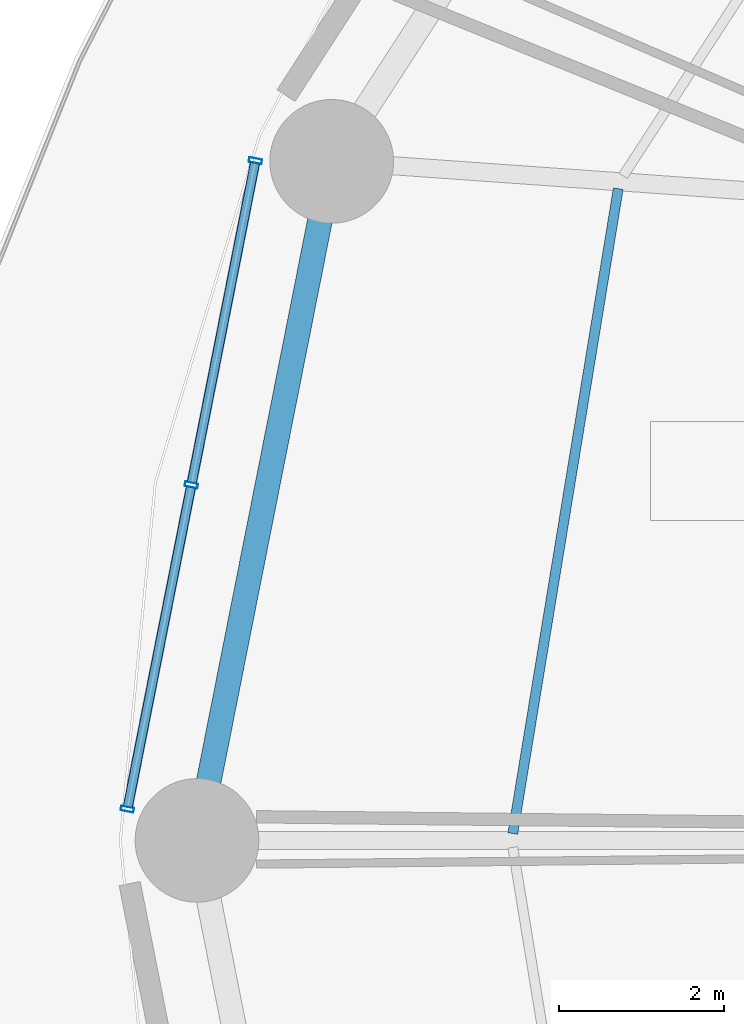
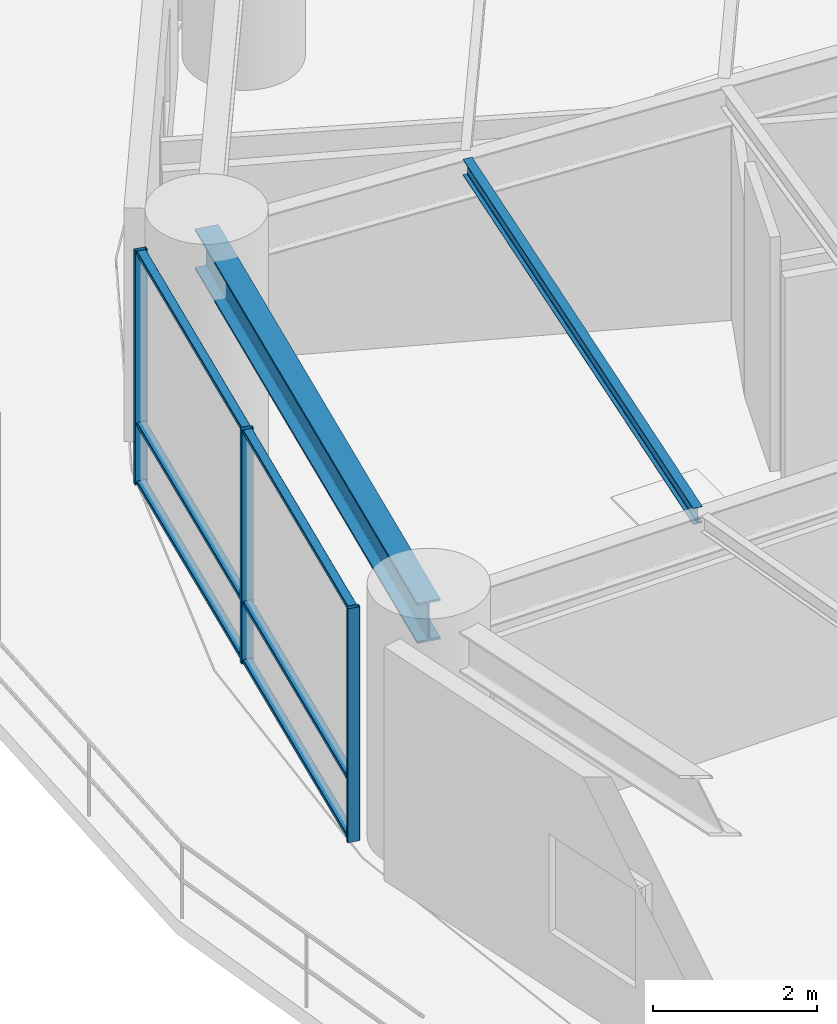
# One storey, part 5 of 35: 9 members, 2 beams, 1 element without a shape of its own.
"""IFC4 building model written with IfcOpenShell, lengths in metres."""

from ifc_helpers import new_model, si_unit, direction, frame, origin, origin_2d, place, context, subcontext, project, spatial, hollow_rectangle, i_section, extrude, material, layer, layer_set, material_profile, profile_set, type_object, element, aggregate, save


model = new_model("IFC4")

# Units and contexts
model_context = context("Model", 3, precision=1e-05, world=origin(), true_north=direction((0.0, 1.0)))
body_context = subcontext(model_context, "Body", "Model", "MODEL_VIEW")
ifc_project = project(units=[si_unit("LENGTHUNIT", "METRE"), si_unit("AREAUNIT", "SQUARE_METRE"), si_unit("VOLUMEUNIT", "CUBIC_METRE"), si_unit("PLANEANGLEUNIT", "RADIAN"), si_unit("MASSUNIT", "GRAM", prefix="KILO")], contexts=[model_context])

# Site, building, storey
site_placement = place(None, origin())
site = spatial("IfcSite", under=ifc_project, at=site_placement, CompositionType="ELEMENT")
building_placement = place(site_placement, origin())
building = spatial("IfcBuilding", under=site, at=building_placement, Name="Kelanora Arch Commons", CompositionType="ELEMENT")
storey_placement = place(building_placement, frame((0.0, 0.0, 22.5)))
storey = spatial("IfcBuildingStorey", under=building, at=storey_placement, Name="L05", CompositionType="ELEMENT", Elevation=22.5)

# Beams
ifc_material_1 = material(Name="Steel S355", Category="steel")
ifc_material_profile_1 = material_profile(ifc_material_1, i_section(OverallWidth=0.1201171875, OverallDepth=0.239990234375, WebThickness=0.006103515625, FlangeThickness=0.009765625, FilletRadius=0.014892578125, at=origin_2d()), Name="IPE240")
ifc_profile_set_1 = profile_set([ifc_material_profile_1], Name="Steel S355")
beam_type_1 = type_object("IfcBeamType", Name="BM-JST-02", PredefinedType="JOIST", material=ifc_profile_set_1)
beam_1_placement = place(storey_placement, frame((52.02880859375, 65.90478515625, 3.3701171875), z_axis=(-0.161400737199, -0.986888951216, 0.0), x_axis=(0.986888951216, -0.161400737199, 0.0)))
element("IfcBeam", 1, at=beam_1_placement, inside=storey, type_object=beam_type_1, Name="Secondary Chord Joist BJC-16 L05", PredefinedType="JOIST", context=body_context, shape_type="SweptSolid", body=[
    extrude(i_section(OverallWidth=0.1201171875, OverallDepth=0.239990234375, WebThickness=0.006103515625, FlangeThickness=0.009765625, FilletRadius=0.014892578125, at=origin_2d()), origin(), (0.0, 0.0, 1.0), 7.9248046875),
])
ifc_material_profile_2 = material_profile(ifc_material_1, i_section(OverallWidth=0.300048828125, OverallDepth=0.60009765625, WebThickness=0.015380859375, FlangeThickness=0.030029296875, FilletRadius=0.027099609375, at=origin_2d()), Name="HEB600")
ifc_profile_set_2 = profile_set([ifc_material_profile_2], Name="Steel S355")
beam_type_2 = type_object("IfcBeamType", Name="BM-SPN-Z1", PredefinedType="SPANDREL", material=ifc_profile_set_2)
beam_2_placement = place(storey_placement, frame((48.552978515625, 66.23583984375, 3.18994140625), z_axis=(-0.194499827256, -0.980902552345, 0.0), x_axis=(0.980902552345, -0.194499827256, 0.0)))
element("IfcBeam", 2, at=beam_2_placement, inside=storey, type_object=beam_type_2, Name="Perimeter Spandrel Beam BS-16 L05", PredefinedType="SPANDREL", context=body_context, shape_type="SweptSolid", body=[
    extrude(i_section(OverallWidth=0.300048828125, OverallDepth=0.60009765625, WebThickness=0.015380859375, FlangeThickness=0.030029296875, FilletRadius=0.027099609375, at=origin_2d()), origin(), (0.0, 0.0, 1.0), 8.396240234375),
])

# Curtain wall, members
ifc_material_2 = material(Name="Terracotta ceramic-fritted low-E glass and aluminium", Category="masonry")
ifc_layer = layer(ifc_material_2, 0.159912109375)
ifc_layer_set = layer_set([ifc_layer], Name="Terracotta ceramic-fritted low-E glass and aluminium")
curtain_wall_type = type_object("IfcCurtainWallType", Name="CW-SYS-01", PredefinedType="NOTDEFINED", material=ifc_layer_set)
curtain_wall_placement = place(storey_placement, origin())
curtain_wall = element("IfcCurtainWall", 3, at=curtain_wall_placement, inside=storey, type_object=curtain_wall_type, Name="Unitised Curtain Wall L05-B08", PredefinedType="NOTDEFINED")
ifc_material_3 = material(Name="Powder-coated aluminium terracotta", Category="masonry")
ifc_material_profile_3 = material_profile(ifc_material_3, hollow_rectangle(XDim=0.159912109375, YDim=0.06005859375, WallThickness=0.0048828125, InnerFilletRadius=0.0048828125, OuterFilletRadius=0.010009765625, at=origin_2d()), Name="CWM160x60")
ifc_profile_set_3 = profile_set([ifc_material_profile_3], Name="Powder-coated aluminium terracotta")
member_type_1 = type_object("IfcMemberType", Name="CWM-STD", PredefinedType="MULLION", material=ifc_profile_set_3)
member_1_placement = place(storey_placement, frame((47.628173828125, 66.243896484375, 0.0), z_axis=(0.0, 0.0, 1.0), x_axis=(0.981052110579, -0.193744048498, 0.0)))
member_1 = element("IfcMember", 4, at=member_1_placement, type_object=member_type_1, Name="CW-01 mullion 1", PredefinedType="MULLION", context=body_context, shape_type="SweptSolid", body=[
    extrude(hollow_rectangle(XDim=0.159912109375, YDim=0.06005859375, WallThickness=0.0048828125, InnerFilletRadius=0.0048828125, OuterFilletRadius=0.010009765625, at=origin_2d()), origin(), (0.0, 0.0, 1.0), 3.47509765625),
])
member_2_placement = place(storey_placement, frame((46.8515625, 62.3115234375, 0.0), z_axis=(0.0, 0.0, 1.0), x_axis=(0.981052110579, -0.193744048498, 0.0)))
member_2 = element("IfcMember", 5, at=member_2_placement, type_object=member_type_1, Name="CW-01 mullion 2", PredefinedType="MULLION", context=body_context, shape_type="SweptSolid", body=[
    extrude(hollow_rectangle(XDim=0.159912109375, YDim=0.06005859375, WallThickness=0.0048828125, InnerFilletRadius=0.0048828125, OuterFilletRadius=0.010009765625, at=origin_2d()), origin(), (0.0, 0.0, 1.0), 3.47509765625),
])
member_3_placement = place(storey_placement, frame((46.074951171875, 58.379150390625, 0.0), z_axis=(0.0, 0.0, 1.0), x_axis=(0.981052110579, -0.193744048498, 0.0)))
member_3 = element("IfcMember", 6, at=member_3_placement, type_object=member_type_1, Name="CW-01 mullion 3", PredefinedType="MULLION", context=body_context, shape_type="SweptSolid", body=[
    extrude(hollow_rectangle(XDim=0.159912109375, YDim=0.06005859375, WallThickness=0.0048828125, InnerFilletRadius=0.0048828125, OuterFilletRadius=0.010009765625, at=origin_2d()), origin(), (0.0, 0.0, 1.0), 3.47509765625),
])
ifc_material_profile_4 = material_profile(ifc_material_3, hollow_rectangle(XDim=0.1201171875, YDim=0.06005859375, WallThickness=0.0048828125, InnerFilletRadius=0.0048828125, OuterFilletRadius=0.010009765625, at=origin_2d()), Name="CWT120x60")
ifc_profile_set_4 = profile_set([ifc_material_profile_4], Name="Powder-coated aluminium terracotta")
member_type_2 = type_object("IfcMemberType", Name="CWT-STD", PredefinedType="USERDEFINED", material=ifc_profile_set_4)
member_4_placement = place(storey_placement, frame((47.622314453125, 66.21435546875, 0.030029296875), z_axis=(-0.193725436624, -0.98105578598, 0.0), x_axis=(0.98105578598, -0.193725436624, 0.0)))
member_4 = element("IfcMember", 7, at=member_4_placement, type_object=member_type_2, Name="CW-01 transom 1.1", ObjectType="TRANSOM", PredefinedType="USERDEFINED", context=body_context, shape_type="SweptSolid", body=[
    extrude(hollow_rectangle(XDim=0.1201171875, YDim=0.06005859375, WallThickness=0.0048828125, InnerFilletRadius=0.0048828125, OuterFilletRadius=0.010009765625, at=origin_2d()), origin(), (0.0, 0.0, 1.0), 3.9482421875),
])
member_5_placement = place(storey_placement, frame((47.622314453125, 66.21435546875, 0.89990234375), z_axis=(-0.193725436624, -0.98105578598, 0.0), x_axis=(0.98105578598, -0.193725436624, 0.0)))
member_5 = element("IfcMember", 8, at=member_5_placement, type_object=member_type_2, Name="CW-01 transom 1.2", ObjectType="TRANSOM", PredefinedType="USERDEFINED", context=body_context, shape_type="SweptSolid", body=[
    extrude(hollow_rectangle(XDim=0.1201171875, YDim=0.06005859375, WallThickness=0.0048828125, InnerFilletRadius=0.0048828125, OuterFilletRadius=0.010009765625, at=origin_2d()), origin(), (0.0, 0.0, 1.0), 3.9482421875),
])
member_6_placement = place(storey_placement, frame((47.622314453125, 66.21435546875, 3.445068359375), z_axis=(-0.193725436624, -0.98105578598, 0.0), x_axis=(0.98105578598, -0.193725436624, 0.0)))
member_6 = element("IfcMember", 9, at=member_6_placement, type_object=member_type_2, Name="CW-01 transom 1.3", ObjectType="TRANSOM", PredefinedType="USERDEFINED", context=body_context, shape_type="SweptSolid", body=[
    extrude(hollow_rectangle(XDim=0.1201171875, YDim=0.06005859375, WallThickness=0.0048828125, InnerFilletRadius=0.0048828125, OuterFilletRadius=0.010009765625, at=origin_2d()), origin(), (0.0, 0.0, 1.0), 3.9482421875),
])
member_7_placement = place(storey_placement, frame((46.845703125, 62.281982421875, 0.030029296875), z_axis=(-0.193725436624, -0.98105578598, 0.0), x_axis=(0.98105578598, -0.193725436624, 0.0)))
member_7 = element("IfcMember", 10, at=member_7_placement, type_object=member_type_2, Name="CW-01 transom 2.1", ObjectType="TRANSOM", PredefinedType="USERDEFINED", context=body_context, shape_type="SweptSolid", body=[
    extrude(hollow_rectangle(XDim=0.1201171875, YDim=0.06005859375, WallThickness=0.0048828125, InnerFilletRadius=0.0048828125, OuterFilletRadius=0.010009765625, at=origin_2d()), origin(), (0.0, 0.0, 1.0), 3.9482421875),
])
member_8_placement = place(storey_placement, frame((46.845703125, 62.281982421875, 0.89990234375), z_axis=(-0.193725436624, -0.98105578598, 0.0), x_axis=(0.98105578598, -0.193725436624, 0.0)))
member_8 = element("IfcMember", 11, at=member_8_placement, type_object=member_type_2, Name="CW-01 transom 2.2", ObjectType="TRANSOM", PredefinedType="USERDEFINED", context=body_context, shape_type="SweptSolid", body=[
    extrude(hollow_rectangle(XDim=0.1201171875, YDim=0.06005859375, WallThickness=0.0048828125, InnerFilletRadius=0.0048828125, OuterFilletRadius=0.010009765625, at=origin_2d()), origin(), (0.0, 0.0, 1.0), 3.9482421875),
])
member_9_placement = place(storey_placement, frame((46.845703125, 62.281982421875, 3.445068359375), z_axis=(-0.193725436624, -0.98105578598, 0.0), x_axis=(0.98105578598, -0.193725436624, 0.0)))
member_9 = element("IfcMember", 12, at=member_9_placement, type_object=member_type_2, Name="CW-01 transom 2.3", ObjectType="TRANSOM", PredefinedType="USERDEFINED", context=body_context, shape_type="SweptSolid", body=[
    extrude(hollow_rectangle(XDim=0.1201171875, YDim=0.06005859375, WallThickness=0.0048828125, InnerFilletRadius=0.0048828125, OuterFilletRadius=0.010009765625, at=origin_2d()), origin(), (0.0, 0.0, 1.0), 3.9482421875),
])
aggregate(curtain_wall, [member_1, member_2, member_3, member_4, member_5, member_6, member_7, member_8, member_9])

save(model, "model.ifc")
